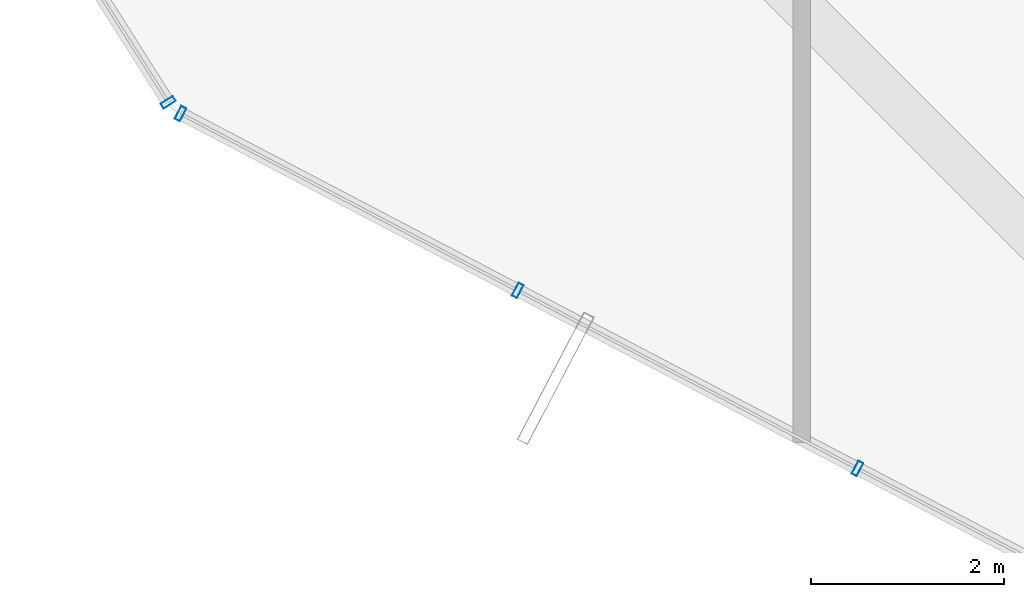
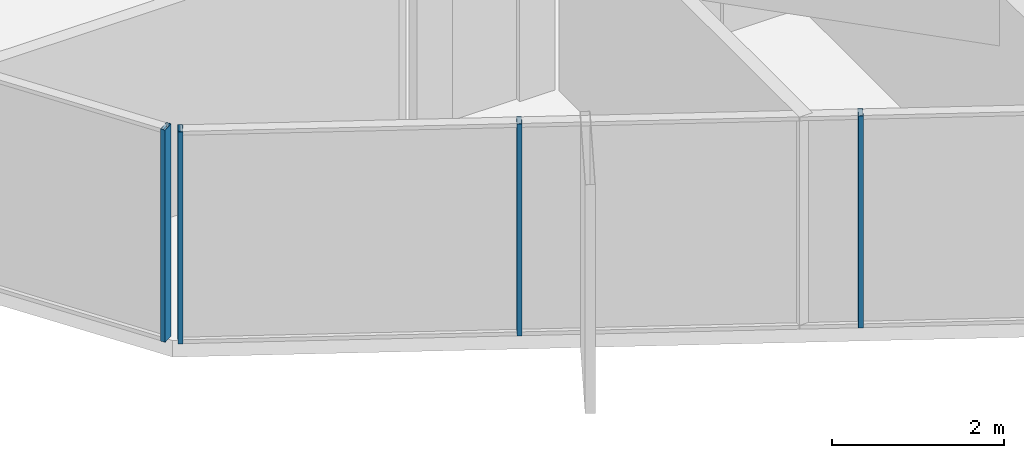
# One storey, part 2 of 33: 4 members, 2 elements without a shape of their own.
"""IFC4 building model written with IfcOpenShell, lengths in metres."""

from ifc_helpers import new_model, si_unit, direction, frame, origin, origin_2d, place, context, subcontext, project, spatial, hollow_rectangle, extrude, source, transform, mapped, material, layer, layer_set, material_profile, profile_set, type_object, element, aggregate, save


model = new_model("IFC4")

# Units and contexts
model_context = context("Model", 3, precision=1e-05, world=origin(), true_north=direction((0.0, 1.0)))
body_context = subcontext(model_context, "Body", "Model", "MODEL_VIEW")
ifc_project = project(units=[si_unit("LENGTHUNIT", "METRE"), si_unit("AREAUNIT", "SQUARE_METRE"), si_unit("VOLUMEUNIT", "CUBIC_METRE"), si_unit("PLANEANGLEUNIT", "RADIAN"), si_unit("MASSUNIT", "GRAM", prefix="KILO")], contexts=[model_context])

# Site, building, storey
site_placement = place(None, origin())
site = spatial("IfcSite", under=ifc_project, at=site_placement, CompositionType="ELEMENT")
building_placement = place(site_placement, origin())
building = spatial("IfcBuilding", under=site, at=building_placement, Name="Veraguas Prism Commons", CompositionType="ELEMENT")
storey_placement = place(building_placement, frame((0.0, 0.0, 198.35009765625)))
storey = spatial("IfcBuildingStorey", under=building, at=storey_placement, Name="L56", CompositionType="ELEMENT", Elevation=198.35009765625)

# Curtain wall, members
ifc_material = material(Name="Anodised aluminium EN AW-6063 T6", Category="aluminium")
ifc_layer = layer(ifc_material, 0.14990234375, Name="Unitised Flush Curtain Wall Zone 3", Category="aluminium")
ifc_layer_set = layer_set([ifc_layer], Name="Anodised aluminium EN AW-6063 T6")
curtain_wall_type = type_object("IfcCurtainWallType", Name="Unitised Flush Curtain Wall Zone 3", PredefinedType="NOTDEFINED", material=ifc_layer_set)
curtain_wall_1_placement = place(storey_placement, origin())
curtain_wall_1 = element("IfcCurtainWall", 1, at=curtain_wall_1_placement, inside=storey, type_object=curtain_wall_type, Name="Tower Facade Curtain Wall L56-F4", PredefinedType="NOTDEFINED")
ifc_material_profile = material_profile(ifc_material, hollow_rectangle(XDim=0.06005859375, YDim=0.14990234375, WallThickness=0.0029296875, at=origin_2d()), Name="AL60X150X3")
ifc_profile_set = profile_set([ifc_material_profile], Name="Anodised aluminium EN AW-6063 T6")
member_type = type_object("IfcMemberType", Name="Curtain Wall Mullion Upper AL 60x150x3", PredefinedType="MULLION", material=ifc_profile_set)
shared_shape = source(origin(), body_context, "Body", "SweptSolid", [
    extrude(hollow_rectangle(XDim=0.06005859375, YDim=0.14990234375, WallThickness=0.0029296875, at=origin_2d()), origin(), (0.0, 0.0, 1.0), 3.014892578125),
])
member_1_placement = place(storey_placement, frame((8.762451171875, 11.990966796875, 0.0), z_axis=(0.0, 0.0, 1.0), x_axis=(0.885721982014, -0.464216081773, 0.0)))
member_1 = element("IfcMember", 2, at=member_1_placement, type_object=member_type, Name="CW-Z3 Mullion 1", PredefinedType="MULLION", context=body_context, shape_type="MappedRepresentation", body=[
    mapped(shared_shape, transform((0.0, 0.0, 0.0), scale=1.0)),
])
member_2_placement = place(storey_placement, frame((12.257080078125, 10.1591796875, 0.0), z_axis=(0.0, 0.0, 1.0), x_axis=(0.885721982014, -0.464216081773, 0.0)))
member_2 = element("IfcMember", 3, at=member_2_placement, type_object=member_type, Name="CW-Z3 Mullion 2", PredefinedType="MULLION", context=body_context, shape_type="MappedRepresentation", body=[
    mapped(shared_shape, transform((0.0, 0.0, 0.0), scale=1.0)),
])
member_3_placement = place(storey_placement, frame((15.778564453125, 8.313720703125, 0.0), z_axis=(0.0, 0.0, 1.0), x_axis=(0.885721982014, -0.464216081773, 0.0)))
member_3 = element("IfcMember", 4, at=member_3_placement, type_object=member_type, Name="CW-Z3 Mullion 3", PredefinedType="MULLION", context=body_context, shape_type="MappedRepresentation", body=[
    mapped(shared_shape, transform((0.0, 0.0, 0.0), scale=1.0)),
])
aggregate(curtain_wall_1, [member_1, member_2, member_3])

# Curtain wall, member
curtain_wall_2_placement = place(storey_placement, origin())
curtain_wall_2 = element("IfcCurtainWall", 5, at=curtain_wall_2_placement, inside=storey, type_object=curtain_wall_type, Name="Chamfer Curtain Wall L56-C4", PredefinedType="NOTDEFINED")
member_4_placement = place(storey_placement, frame((8.634765625, 12.108642578125, 0.0), z_axis=(0.0, 0.0, 1.0), x_axis=(0.534939373984, -0.844890446248, 0.0)))
member_4 = element("IfcMember", 6, at=member_4_placement, type_object=member_type, Name="CW-Z3 Mullion 2", PredefinedType="MULLION", context=body_context, shape_type="MappedRepresentation", body=[
    mapped(shared_shape, transform((0.0, 0.0, 0.0), scale=1.0)),
])
aggregate(curtain_wall_2, [member_4])

save(model, "model.ifc")
